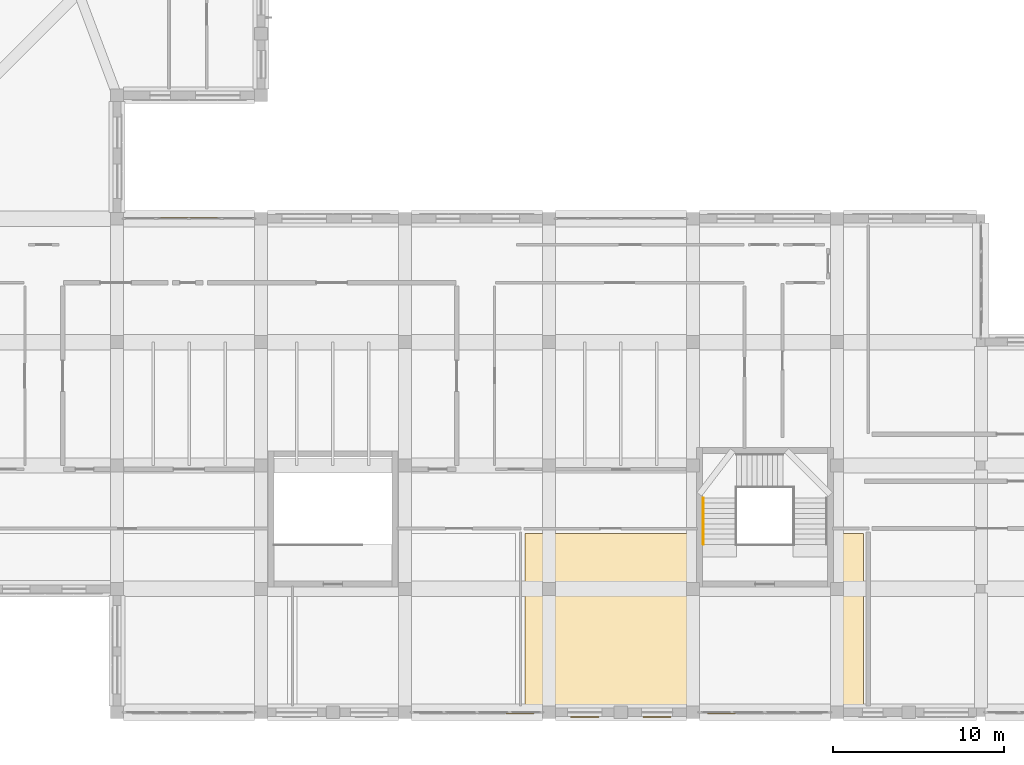
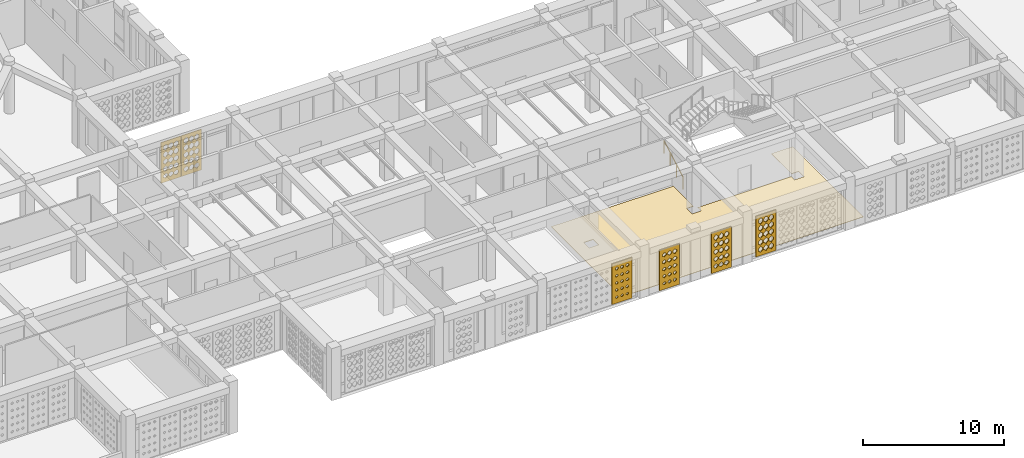
# One storey, part 88 of 111: 7 coverings, 1 railing.
"""IFC4 building model written with IfcOpenShell, lengths in metres."""

from ifc_helpers import new_model, si_unit, derived_unit, direction, frame, origin, origin_2d, place, context, subcontext, project, spatial, polyline, circle, outline, extrude, material, layer, layer_set, type_object, element, save


model = new_model("IFC4")

# Units and contexts
model_context = context("Model", 3, precision=1e-05, world=origin(), true_north=direction((0.0, 1.0)))
body_context = subcontext(model_context, "Body", "Model", "MODEL_VIEW")
ifc_project = project(units=[si_unit("LENGTHUNIT", "METRE"), si_unit("AREAUNIT", "SQUARE_METRE"), si_unit("VOLUMEUNIT", "CUBIC_METRE"), si_unit("PLANEANGLEUNIT", "RADIAN"), si_unit("MASSUNIT", "GRAM", prefix="KILO"), derived_unit("THERMALTRANSMITTANCEUNIT", [(si_unit("POWERUNIT", "WATT"), 1), (si_unit("LENGTHUNIT", "METRE"), -2), (si_unit("THERMODYNAMICTEMPERATUREUNIT", "KELVIN"), -1)])], contexts=[model_context])

# Site, building, storey
site_placement = place(None, origin())
site = spatial("IfcSite", under=ifc_project, at=site_placement, CompositionType="ELEMENT")
building_placement = place(site_placement, origin())
building = spatial("IfcBuilding", under=site, at=building_placement, Name="Veybourne Emporium", CompositionType="ELEMENT")
storey_placement = place(building_placement, frame((0.0, 0.0, 9.89990234375)))
storey = spatial("IfcBuildingStorey", under=building, at=storey_placement, Name="L02", CompositionType="ELEMENT", Elevation=9.89990234375)

# Covering
ifc_material_1 = material(Name="European Oak Parquet", Category="wood")
ifc_layer_1 = layer(ifc_material_1, 0.034912109375)
ifc_layer_set_1 = layer_set([ifc_layer_1], Name="European Oak Parquet")
covering_type_1 = type_object("IfcCoveringType", Name="Flooring_FLR-02", PredefinedType="FLOORING", material=ifc_layer_set_1)
covering_1_placement = place(storey_placement, origin())
element("IfcCovering", 1, at=covering_1_placement, inside=storey, type_object=covering_type_1, Name="L02 floor finish 06", PredefinedType="FLOORING", context=body_context, shape_type="SweptSolid", body=[
    extrude(outline(polyline([(126.18994140625, 10.43994140625), (126.18994140625, 7.64990234375), (126.190185546875, 7.64013671875), (126.19091796875, 7.62451171875), (126.19287109375, 7.60498046875), (126.1953125, 7.589599609375), (126.197021484375, 7.580078125), (125.6201171875, 7.580078125), (125.6201171875, 6.820068359375), (126.3798828125, 6.820068359375), (126.3798828125, 7.3330078125), (126.38916015625, 7.328125), (126.4033203125, 7.3212890625), (126.42138671875, 7.31396484375), (126.43603515625, 7.30859375), (126.454833984375, 7.302978515625), (126.47021484375, 7.299072265625), (126.489501953125, 7.295166015625), (126.505126953125, 7.29296875), (126.5244140625, 7.291015625), (126.540283203125, 7.290283203125), (126.550048828125, 7.2900390625), (133.85009765625, 7.2900390625), (133.85986328125, 7.290283203125), (133.87548828125, 7.291015625), (133.89501953125, 7.29296875), (133.910400390625, 7.295166015625), (133.929931640625, 7.299072265625), (133.945068359375, 7.302978515625), (133.9638671875, 7.30859375), (133.978515625, 7.31396484375), (133.996826171875, 7.3212890625), (134.010986328125, 7.328125), (134.02001953125, 7.3330078125), (134.02001953125, 6.820068359375), (134.780029296875, 6.820068359375), (134.780029296875, 7.580078125), (134.202880859375, 7.580078125), (134.204833984375, 7.589599609375), (134.20703125, 7.60498046875), (134.208984375, 7.62451171875), (134.209716796875, 7.64013671875), (134.2099609375, 7.64990234375), (134.2099609375, 10.43994140625), (135.949951171875, 10.43994140625), (135.949951171875, 0.43994140625), (116.2099609375, 0.43994140625), (116.2099609375, 10.43994140625), (126.18994140625, 10.43994140625)]), holes=[polyline([(117.97998046875, 7.580078125), (117.219970703125, 7.580078125), (117.219970703125, 6.820068359375), (117.97998046875, 6.820068359375), (117.97998046875, 7.580078125)])]), origin(), (0.0, 0.0, 1.0), 0.03515625),
])

# Railing
ifc_material_2 = material(Name="Brushed Stainless Steel", Category="steel")
railing_type = type_object("IfcRailingType", Name="Handrail_HR-01", PredefinedType="HANDRAIL", material=ifc_material_2)
railing_placement = place(storey_placement, frame((126.610107421875, 9.800048828125, 0.150146484375)))
element("IfcRailing", 2, at=railing_placement, inside=storey, type_object=railing_type, Name="L02 ST-06 pitch handrail 1", PredefinedType="HANDRAIL", context=body_context, shape_type="SweptSolid", body=[
    extrude(circle(Radius=0.02392578125, at=origin_2d()), frame((0.0, 0.0, 0.92578125), z_axis=(0.0, 0.87415354758, 0.485649642493), x_axis=(-1.0, 0.0, 0.0)), (0.0, 0.0, 1.0), 3.088623046875),
    extrude(circle(Radius=0.02099609375, at=origin_2d()), frame((0.0, 0.0, -0.14990234375)), (0.0, 0.0, 1.0), 1.0517578125),
    extrude(circle(Radius=0.02099609375, at=origin_2d()), frame((0.0, 0.89990234375, 0.35009765625)), (0.0, 0.0, 1.0), 1.0517578125),
    extrude(circle(Radius=0.02099609375, at=origin_2d()), frame((0.0, 1.800048828125, 0.85009765625)), (0.0, 0.0, 1.0), 1.0517578125),
    extrude(circle(Radius=0.02099609375, at=origin_2d()), frame((0.0, 2.699951171875, 1.35009765625)), (0.0, 0.0, 1.0), 1.0517578125),
])

# Coverings
ifc_material_3 = material(Name="Warm-White Perforated Aluminium Screen Alloy", Category="aluminium")
ifc_layer_2 = layer(ifc_material_3, 0.06005859375)
ifc_layer_set_2 = layer_set([ifc_layer_2], Name="Warm-White Perforated Aluminium Screen Alloy")
covering_type_2 = type_object("IfcCoveringType", Name="WaveScreen_SCR-01", PredefinedType="CLADDING", material=ifc_layer_set_2)
covering_2_placement = place(storey_placement, frame((95.760009765625, 28.89306640625, 1.815185546875), z_axis=(0.0, -1.0, 0.0), x_axis=(1.0, 0.0, 0.0)))
element("IfcCovering", 3, at=covering_2_placement, inside=storey, type_object=covering_type_2, Name="L02 wave-perforated aluminium screen SCR-01 (48C.2)", PredefinedType="CLADDING", context=body_context, shape_type="SweptSolid", body=[
    extrude(outline(polyline([(-0.81982421875, -1.7548828125), (0.81982421875, -1.7548828125), (0.81982421875, 1.7548828125), (-0.81982421875, 1.7548828125), (-0.81982421875, -1.7548828125)]), holes=[polyline([(-0.433349609375, -1.0224609375), (-0.255126953125, -1.154052734375), (-0.255126953125, -1.302001953125), (-0.433349609375, -1.43359375), (-0.611328125, -1.302001953125), (-0.611328125, -1.154052734375), (-0.433349609375, -1.0224609375)]), polyline([(-0.433349609375, -0.394775390625), (-0.2470703125, -0.53515625), (-0.2470703125, -0.69287109375), (-0.433349609375, -0.833251953125), (-0.61962890625, -0.69287109375), (-0.61962890625, -0.53515625), (-0.433349609375, -0.394775390625)]), polyline([(-0.433349609375, 0.232177734375), (-0.2470703125, 0.08349609375), (-0.2470703125, -0.08349609375), (-0.433349609375, -0.232177734375), (-0.61962890625, -0.08349609375), (-0.61962890625, 0.08349609375), (-0.433349609375, 0.232177734375)]), polyline([(-0.433349609375, 0.85791015625), (-0.2470703125, 0.701904296875), (-0.2470703125, 0.526123046875), (-0.433349609375, 0.3701171875), (-0.61962890625, 0.526123046875), (-0.61962890625, 0.701904296875), (-0.433349609375, 0.85791015625)]), polyline([(-0.433349609375, 1.482177734375), (-0.2470703125, 1.319580078125), (-0.2470703125, 1.136474609375), (-0.433349609375, 0.973876953125), (-0.61962890625, 1.136474609375), (-0.61962890625, 1.319580078125), (-0.433349609375, 1.482177734375)]), polyline([(0.0, -1.01611328125), (0.183349609375, -1.15185546875), (0.183349609375, -1.30419921875), (0.0, -1.439697265625), (-0.183349609375, -1.30419921875), (-0.183349609375, -1.15185546875), (0.0, -1.01611328125)]), polyline([(0.0, -0.388916015625), (0.186279296875, -0.532958984375), (0.186279296875, -0.695068359375), (0.0, -0.839111328125), (-0.186279296875, -0.695068359375), (-0.186279296875, -0.532958984375), (0.0, -0.388916015625)]), polyline([(0.0, 0.23779296875), (0.186279296875, 0.085693359375), (0.186279296875, -0.085693359375), (0.0, -0.23779296875), (-0.186279296875, -0.085693359375), (-0.186279296875, 0.085693359375), (0.0, 0.23779296875)]), polyline([(0.0, 0.86279296875), (0.186279296875, 0.70361328125), (0.186279296875, 0.5244140625), (0.0, 0.365234375), (-0.186279296875, 0.5244140625), (-0.186279296875, 0.70361328125), (0.0, 0.86279296875)]), polyline([(0.0, 1.486328125), (0.186279296875, 1.321044921875), (0.186279296875, 1.135009765625), (0.0, 0.9697265625), (-0.186279296875, 1.135009765625), (-0.186279296875, 1.321044921875), (0.0, 1.486328125)]), polyline([(0.433349609375, -1.010009765625), (0.61962890625, -1.1494140625), (0.61962890625, -1.306396484375), (0.433349609375, -1.446044921875), (0.2470703125, -1.306396484375), (0.2470703125, -1.1494140625), (0.433349609375, -1.010009765625)]), polyline([(0.433349609375, -0.383056640625), (0.61962890625, -0.53076171875), (0.61962890625, -0.697265625), (0.433349609375, -0.844970703125), (0.2470703125, -0.697265625), (0.2470703125, -0.53076171875), (0.433349609375, -0.383056640625)]), polyline([(0.433349609375, 0.242919921875), (0.61962890625, 0.08740234375), (0.61962890625, -0.08740234375), (0.433349609375, -0.242919921875), (0.2470703125, -0.08740234375), (0.2470703125, 0.08740234375), (0.433349609375, 0.242919921875)]), polyline([(0.433349609375, 0.867431640625), (0.61962890625, 0.705078125), (0.61962890625, 0.522705078125), (0.433349609375, 0.360595703125), (0.2470703125, 0.522705078125), (0.2470703125, 0.705078125), (0.433349609375, 0.867431640625)]), polyline([(0.433349609375, 1.489990234375), (0.61962890625, 1.322265625), (0.61962890625, 1.1337890625), (0.433349609375, 0.966064453125), (0.2470703125, 1.1337890625), (0.2470703125, 1.322265625), (0.433349609375, 1.489990234375)])]), origin(), (0.0, 0.0, 1.0), 0.06005859375),
])
covering_3_placement = place(storey_placement, frame((123.91259765625, -0.298095703125, 1.815185546875), z_axis=(0.0, 1.0, 0.0), x_axis=(-1.0, 0.0, 0.0)))
element("IfcCovering", 4, at=covering_3_placement, inside=storey, type_object=covering_type_2, Name="L02 wave-perforated aluminium screen SCR-01 (65A.1)", PredefinedType="CLADDING", context=body_context, shape_type="SweptSolid", body=[
    extrude(outline(polyline([(-0.81982421875, -1.7548828125), (0.81982421875, -1.7548828125), (0.81982421875, 1.7548828125), (-0.81982421875, 1.7548828125), (-0.81982421875, -1.7548828125)]), holes=[polyline([(-0.433349609375, -1.024169921875), (-0.256591796875, -1.154541015625), (-0.256591796875, -1.301513671875), (-0.433349609375, -1.431884765625), (-0.610107421875, -1.301513671875), (-0.610107421875, -1.154541015625), (-0.433349609375, -1.024169921875)]), polyline([(-0.433349609375, -0.396484375), (-0.2470703125, -0.53564453125), (-0.2470703125, -0.6923828125), (-0.433349609375, -0.83154296875), (-0.61962890625, -0.6923828125), (-0.61962890625, -0.53564453125), (-0.433349609375, -0.396484375)]), polyline([(-0.433349609375, 0.230712890625), (-0.2470703125, 0.0830078125), (-0.2470703125, -0.0830078125), (-0.433349609375, -0.230712890625), (-0.61962890625, -0.0830078125), (-0.61962890625, 0.0830078125), (-0.433349609375, 0.230712890625)]), polyline([(-0.433349609375, 0.856689453125), (-0.2470703125, 0.701416015625), (-0.2470703125, 0.526611328125), (-0.433349609375, 0.371337890625), (-0.61962890625, 0.526611328125), (-0.61962890625, 0.701416015625), (-0.433349609375, 0.856689453125)]), polyline([(-0.433349609375, 1.481201171875), (-0.2470703125, 1.319091796875), (-0.2470703125, 1.136962890625), (-0.433349609375, 0.974853515625), (-0.61962890625, 1.136962890625), (-0.61962890625, 1.319091796875), (-0.433349609375, 1.481201171875)]), polyline([(0.0, -1.030517578125), (0.17138671875, -1.156982421875), (0.17138671875, -1.299072265625), (0.0, -1.42529296875), (-0.17138671875, -1.299072265625), (-0.17138671875, -1.156982421875), (0.0, -1.030517578125)]), polyline([(0.0, -0.402587890625), (0.18310546875, -0.537841796875), (0.18310546875, -0.690185546875), (0.0, -0.825439453125), (-0.18310546875, -0.690185546875), (-0.18310546875, -0.537841796875), (0.0, -0.402587890625)]), polyline([(0.0, 0.224853515625), (0.186279296875, 0.0810546875), (0.186279296875, -0.0810546875), (0.0, -0.224853515625), (-0.186279296875, -0.0810546875), (-0.186279296875, 0.0810546875), (0.0, 0.224853515625)]), polyline([(0.0, 0.851318359375), (0.186279296875, 0.699462890625), (0.186279296875, 0.528564453125), (0.0, 0.376708984375), (-0.186279296875, 0.528564453125), (-0.186279296875, 0.699462890625), (0.0, 0.851318359375)]), polyline([(0.0, 1.4765625), (0.186279296875, 1.3173828125), (0.186279296875, 1.138427734375), (0.0, 0.9794921875), (-0.186279296875, 1.138427734375), (-0.186279296875, 1.3173828125), (0.0, 1.4765625)]), polyline([(0.433349609375, -1.037109375), (0.599609375, -1.1591796875), (0.599609375, -1.296875), (0.433349609375, -1.4189453125), (0.26708984375, -1.296875), (0.26708984375, -1.1591796875), (0.433349609375, -1.037109375)]), polyline([(0.433349609375, -0.408935546875), (0.611083984375, -0.540283203125), (0.611083984375, -0.687744140625), (0.433349609375, -0.819091796875), (0.255615234375, -0.687744140625), (0.255615234375, -0.540283203125), (0.433349609375, -0.408935546875)]), polyline([(0.433349609375, 0.218994140625), (0.61962890625, 0.078857421875), (0.61962890625, -0.078857421875), (0.433349609375, -0.218994140625), (0.2470703125, -0.078857421875), (0.2470703125, 0.078857421875), (0.433349609375, 0.218994140625)]), polyline([(0.433349609375, 0.845947265625), (0.61962890625, 0.697509765625), (0.61962890625, 0.530517578125), (0.433349609375, 0.382080078125), (0.2470703125, 0.530517578125), (0.2470703125, 0.697509765625), (0.433349609375, 0.845947265625)]), polyline([(0.433349609375, 1.4716796875), (0.61962890625, 1.315673828125), (0.61962890625, 1.140380859375), (0.433349609375, 0.984375), (0.2470703125, 1.140380859375), (0.2470703125, 1.315673828125), (0.433349609375, 1.4716796875)])]), origin(), (0.0, 0.0, 1.0), 0.06005859375),
])
covering_4_placement = place(storey_placement, frame((119.6875, -0.298095703125, 1.815185546875), z_axis=(0.0, 1.0, 0.0), x_axis=(-1.0, 0.0, 0.0)))
element("IfcCovering", 5, at=covering_4_placement, inside=storey, type_object=covering_type_2, Name="L02 wave-perforated aluminium screen SCR-01 (65B.1)", PredefinedType="CLADDING", context=body_context, shape_type="SweptSolid", body=[
    extrude(outline(polyline([(-0.81982421875, -1.7548828125), (0.81982421875, -1.7548828125), (0.81982421875, 1.7548828125), (-0.81982421875, 1.7548828125), (-0.81982421875, -1.7548828125)]), holes=[polyline([(-0.433349609375, -1.08349609375), (-0.30517578125, -1.176025390625), (-0.30517578125, -1.280029296875), (-0.433349609375, -1.372314453125), (-0.5615234375, -1.280029296875), (-0.5615234375, -1.176025390625), (-0.433349609375, -1.08349609375)]), polyline([(-0.433349609375, -0.45751953125), (-0.29541015625, -0.5576171875), (-0.29541015625, -0.67041015625), (-0.433349609375, -0.7705078125), (-0.5712890625, -0.67041015625), (-0.5712890625, -0.5576171875), (-0.433349609375, -0.45751953125)]), polyline([(-0.433349609375, 0.169921875), (-0.284423828125, 0.06103515625), (-0.284423828125, -0.06103515625), (-0.433349609375, -0.169921875), (-0.582275390625, -0.06103515625), (-0.582275390625, 0.06103515625), (-0.433349609375, 0.169921875)]), polyline([(-0.433349609375, 0.797607421875), (-0.27294921875, 0.68017578125), (-0.27294921875, 0.5478515625), (-0.433349609375, 0.430419921875), (-0.593505859375, 0.5478515625), (-0.593505859375, 0.68017578125), (-0.433349609375, 0.797607421875)]), polyline([(-0.433349609375, 1.42578125), (-0.261474609375, 1.29931640625), (-0.261474609375, 1.15673828125), (-0.433349609375, 1.0302734375), (-0.605224609375, 1.15673828125), (-0.605224609375, 1.29931640625), (-0.433349609375, 1.42578125)]), polyline([(0.0, -1.088623046875), (0.1240234375, -1.177978515625), (0.1240234375, -1.278076171875), (0.0, -1.3671875), (-0.1240234375, -1.278076171875), (-0.1240234375, -1.177978515625), (0.0, -1.088623046875)]), polyline([(0.0, -0.463134765625), (0.13330078125, -0.559814453125), (0.13330078125, -0.668212890625), (0.0, -0.764892578125), (-0.13330078125, -0.668212890625), (-0.13330078125, -0.559814453125), (0.0, -0.463134765625)]), polyline([(0.0, 0.163818359375), (0.143798828125, 0.058837890625), (0.143798828125, -0.058837890625), (0.0, -0.163818359375), (-0.143798828125, -0.058837890625), (-0.143798828125, 0.058837890625), (0.0, 0.163818359375)]), polyline([(0.0, 0.791259765625), (0.155029296875, 0.677734375), (0.155029296875, 0.55029296875), (0.0, 0.436767578125), (-0.155029296875, 0.55029296875), (-0.155029296875, 0.677734375), (0.0, 0.791259765625)]), polyline([(0.0, 1.41943359375), (0.16650390625, 1.296875), (0.16650390625, 1.1591796875), (0.0, 1.03662109375), (-0.16650390625, 1.1591796875), (-0.16650390625, 1.296875), (0.0, 1.41943359375)]), polyline([(0.433349609375, -1.093505859375), (0.553466796875, -1.1796875), (0.553466796875, -1.2763671875), (0.433349609375, -1.362548828125), (0.313232421875, -1.2763671875), (0.313232421875, -1.1796875), (0.433349609375, -1.093505859375)]), polyline([(0.433349609375, -0.468505859375), (0.562255859375, -0.5615234375), (0.562255859375, -0.66650390625), (0.433349609375, -0.759521484375), (0.30419921875, -0.66650390625), (0.30419921875, -0.5615234375), (0.433349609375, -0.468505859375)]), polyline([(0.433349609375, 0.15771484375), (0.572509765625, 0.056884765625), (0.572509765625, -0.056884765625), (0.433349609375, -0.15771484375), (0.294189453125, -0.056884765625), (0.294189453125, 0.056884765625), (0.433349609375, 0.15771484375)]), polyline([(0.433349609375, 0.784912109375), (0.583251953125, 0.675537109375), (0.583251953125, 0.552490234375), (0.433349609375, 0.443115234375), (0.283447265625, 0.552490234375), (0.283447265625, 0.675537109375), (0.433349609375, 0.784912109375)]), polyline([(0.433349609375, 1.4130859375), (0.5947265625, 1.294677734375), (0.5947265625, 1.161376953125), (0.433349609375, 1.04296875), (0.27197265625, 1.161376953125), (0.27197265625, 1.294677734375), (0.433349609375, 1.4130859375)])]), origin(), (0.0, 0.0, 1.0), 0.06005859375),
])
ifc_layer_3 = layer(ifc_material_3, 0.06005859375)
ifc_layer_set_3 = layer_set([ifc_layer_3], Name="Warm-White Perforated Aluminium Screen Alloy")
covering_type_3 = type_object("IfcCoveringType", Name="WaveScreen_SCR-02", PredefinedType="CLADDING", material=ifc_layer_set_3)
covering_5_placement = place(storey_placement, frame((97.43994140625, 28.89306640625, 1.815185546875), z_axis=(0.0, -1.0, 0.0), x_axis=(1.0, 0.0, 0.0)))
element("IfcCovering", 6, at=covering_5_placement, inside=storey, type_object=covering_type_3, Name="L02 wave-perforated aluminium screen SCR-02 (48C.3)", PredefinedType="CLADDING", context=body_context, shape_type="SweptSolid", body=[
    extrude(outline(polyline([(-0.81982421875, -1.7548828125), (0.81982421875, -1.7548828125), (0.81982421875, 1.7548828125), (-0.81982421875, 1.7548828125), (-0.81982421875, -1.7548828125)]), holes=[polyline([(-0.433349609375, -0.998779296875), (-0.2470703125, -1.1455078125), (-0.2470703125, -1.310546875), (-0.433349609375, -1.45703125), (-0.61962890625, -1.310546875), (-0.61962890625, -1.1455078125), (-0.433349609375, -0.998779296875)]), polyline([(-0.433349609375, -0.372802734375), (-0.2470703125, -0.527099609375), (-0.2470703125, -0.70068359375), (-0.433349609375, -0.855224609375), (-0.61962890625, -0.70068359375), (-0.61962890625, -0.527099609375), (-0.433349609375, -0.372802734375)]), polyline([(-0.433349609375, 0.251953125), (-0.2470703125, 0.0908203125), (-0.2470703125, -0.0908203125), (-0.433349609375, -0.251953125), (-0.61962890625, -0.0908203125), (-0.61962890625, 0.0908203125), (-0.433349609375, 0.251953125)]), polyline([(-0.433349609375, 0.874755859375), (-0.2470703125, 0.7080078125), (-0.2470703125, 0.52001953125), (-0.433349609375, 0.353271484375), (-0.61962890625, 0.52001953125), (-0.61962890625, 0.7080078125), (-0.433349609375, 0.874755859375)]), polyline([(-0.433349609375, 1.491943359375), (-0.2470703125, 1.322998046875), (-0.2470703125, 1.133056640625), (-0.433349609375, 0.964111328125), (-0.61962890625, 1.133056640625), (-0.61962890625, 1.322998046875), (-0.433349609375, 1.491943359375)]), polyline([(0.0, -0.9931640625), (0.186279296875, -1.1435546875), (0.186279296875, -1.3125), (0.0, -1.462890625), (-0.186279296875, -1.3125), (-0.186279296875, -1.1435546875), (0.0, -0.9931640625)]), polyline([(0.0, -0.36767578125), (0.186279296875, -0.525390625), (0.186279296875, -0.70263671875), (0.0, -0.8603515625), (-0.186279296875, -0.70263671875), (-0.186279296875, -0.525390625), (0.0, -0.36767578125)]), polyline([(0.0, 0.256103515625), (0.186279296875, 0.09228515625), (0.186279296875, -0.09228515625), (0.0, -0.256103515625), (-0.186279296875, -0.09228515625), (-0.186279296875, 0.09228515625), (0.0, 0.256103515625)]), polyline([(0.0, 0.8779296875), (0.186279296875, 0.708984375), (0.186279296875, 0.51904296875), (0.0, 0.35009765625), (-0.186279296875, 0.51904296875), (-0.186279296875, 0.708984375), (0.0, 0.8779296875)]), polyline([(0.0, 1.491943359375), (0.186279296875, 1.322998046875), (0.186279296875, 1.133056640625), (0.0, 0.964111328125), (-0.186279296875, 1.133056640625), (-0.186279296875, 1.322998046875), (0.0, 1.491943359375)]), polyline([(0.433349609375, -0.98779296875), (0.61962890625, -1.1416015625), (0.61962890625, -1.314453125), (0.433349609375, -1.46826171875), (0.2470703125, -1.314453125), (0.2470703125, -1.1416015625), (0.433349609375, -0.98779296875)]), polyline([(0.433349609375, -0.363037109375), (0.61962890625, -0.523681640625), (0.61962890625, -0.704345703125), (0.433349609375, -0.864990234375), (0.2470703125, -0.704345703125), (0.2470703125, -0.523681640625), (0.433349609375, -0.363037109375)]), polyline([(0.433349609375, 0.260009765625), (0.61962890625, 0.093505859375), (0.61962890625, -0.093505859375), (0.433349609375, -0.260009765625), (0.2470703125, -0.093505859375), (0.2470703125, 0.093505859375), (0.433349609375, 0.260009765625)]), polyline([(0.433349609375, 0.8779296875), (0.61962890625, 0.708984375), (0.61962890625, 0.51904296875), (0.433349609375, 0.35009765625), (0.2470703125, 0.51904296875), (0.2470703125, 0.708984375), (0.433349609375, 0.8779296875)]), polyline([(0.433349609375, 1.491943359375), (0.61962890625, 1.322998046875), (0.61962890625, 1.133056640625), (0.433349609375, 0.964111328125), (0.2470703125, 1.133056640625), (0.2470703125, 1.322998046875), (0.433349609375, 1.491943359375)])]), origin(), (0.0, 0.0, 1.0), 0.06005859375),
])
covering_6_placement = place(storey_placement, frame((127.679931640625, -0.096923828125, 1.815185546875), z_axis=(0.0, 1.0, 0.0), x_axis=(-1.0, 0.0, 0.0)))
element("IfcCovering", 7, at=covering_6_placement, inside=storey, type_object=covering_type_3, Name="L02 wave-perforated aluminium screen SCR-02 (67C.4)", PredefinedType="CLADDING", context=body_context, shape_type="SweptSolid", body=[
    extrude(outline(polyline([(-0.81982421875, -1.7548828125), (0.81982421875, -1.7548828125), (0.81982421875, 1.7548828125), (-0.81982421875, 1.7548828125), (-0.81982421875, -1.7548828125)]), holes=[polyline([(-0.433349609375, -0.973388671875), (-0.2470703125, -1.13623046875), (-0.2470703125, -1.319580078125), (-0.433349609375, -1.482666015625), (-0.61962890625, -1.319580078125), (-0.61962890625, -1.13623046875), (-0.433349609375, -0.973388671875)]), polyline([(-0.433349609375, -0.35107421875), (-0.2470703125, -0.519287109375), (-0.2470703125, -0.708740234375), (-0.433349609375, -0.876953125), (-0.61962890625, -0.708740234375), (-0.61962890625, -0.519287109375), (-0.433349609375, -0.35107421875)]), polyline([(-0.433349609375, 0.263916015625), (-0.2470703125, 0.094970703125), (-0.2470703125, -0.094970703125), (-0.433349609375, -0.263916015625), (-0.61962890625, -0.094970703125), (-0.61962890625, 0.094970703125), (-0.433349609375, 0.263916015625)]), polyline([(-0.433349609375, 0.8779296875), (-0.2470703125, 0.708984375), (-0.2470703125, 0.51904296875), (-0.433349609375, 0.35009765625), (-0.61962890625, 0.51904296875), (-0.61962890625, 0.708984375), (-0.433349609375, 0.8779296875)]), polyline([(-0.433349609375, 1.491943359375), (-0.2470703125, 1.322998046875), (-0.2470703125, 1.133056640625), (-0.433349609375, 0.964111328125), (-0.61962890625, 1.133056640625), (-0.61962890625, 1.322998046875), (-0.433349609375, 1.491943359375)]), polyline([(0.0, -0.977783203125), (0.186279296875, -1.137939453125), (0.186279296875, -1.318115234375), (0.0, -1.478271484375), (-0.186279296875, -1.318115234375), (-0.186279296875, -1.137939453125), (0.0, -0.977783203125)]), polyline([(0.0, -0.3544921875), (0.186279296875, -0.5205078125), (0.186279296875, -0.70751953125), (0.0, -0.873291015625), (-0.186279296875, -0.70751953125), (-0.186279296875, -0.5205078125), (0.0, -0.3544921875)]), polyline([(0.0, 0.263916015625), (0.186279296875, 0.094970703125), (0.186279296875, -0.094970703125), (0.0, -0.263916015625), (-0.186279296875, -0.094970703125), (-0.186279296875, 0.094970703125), (0.0, 0.263916015625)]), polyline([(0.0, 0.8779296875), (0.186279296875, 0.708984375), (0.186279296875, 0.51904296875), (0.0, 0.35009765625), (-0.186279296875, 0.51904296875), (-0.186279296875, 0.708984375), (0.0, 0.8779296875)]), polyline([(0.0, 1.491943359375), (0.186279296875, 1.322998046875), (0.186279296875, 1.133056640625), (0.0, 0.964111328125), (-0.186279296875, 1.133056640625), (-0.186279296875, 1.322998046875), (0.0, 1.491943359375)]), polyline([(0.433349609375, -0.982666015625), (0.61962890625, -1.1396484375), (0.61962890625, -1.31640625), (0.433349609375, -1.473388671875), (0.2470703125, -1.31640625), (0.2470703125, -1.1396484375), (0.433349609375, -0.982666015625)]), polyline([(0.433349609375, -0.358642578125), (0.61962890625, -0.52197265625), (0.61962890625, -0.7060546875), (0.433349609375, -0.869384765625), (0.2470703125, -0.7060546875), (0.2470703125, -0.52197265625), (0.433349609375, -0.358642578125)]), polyline([(0.433349609375, 0.263671875), (0.61962890625, 0.094970703125), (0.61962890625, -0.094970703125), (0.433349609375, -0.263671875), (0.2470703125, -0.094970703125), (0.2470703125, 0.094970703125), (0.433349609375, 0.263671875)]), polyline([(0.433349609375, 0.8779296875), (0.61962890625, 0.708984375), (0.61962890625, 0.51904296875), (0.433349609375, 0.35009765625), (0.2470703125, 0.51904296875), (0.2470703125, 0.708984375), (0.433349609375, 0.8779296875)]), polyline([(0.433349609375, 1.491943359375), (0.61962890625, 1.322998046875), (0.61962890625, 1.133056640625), (0.433349609375, 0.964111328125), (0.2470703125, 1.133056640625), (0.2470703125, 1.322998046875), (0.433349609375, 1.491943359375)])]), origin(), (0.0, 0.0, 1.0), 0.06005859375),
])
ifc_layer_4 = layer(ifc_material_3, 0.06005859375)
ifc_layer_set_4 = layer_set([ifc_layer_4], Name="Warm-White Perforated Aluminium Screen Alloy")
covering_type_4 = type_object("IfcCoveringType", Name="WaveScreen_SCR-03", PredefinedType="CLADDING", material=ifc_layer_set_4)
covering_7_placement = place(storey_placement, frame((115.919921875, -0.093994140625, 1.815185546875), z_axis=(0.0, 1.0, 0.0), x_axis=(-1.0, 0.0, 0.0)))
element("IfcCovering", 8, at=covering_7_placement, inside=storey, type_object=covering_type_4, Name="L02 wave-perforated aluminium screen SCR-03 (63C.1)", PredefinedType="CLADDING", context=body_context, shape_type="SweptSolid", body=[
    extrude(outline(polyline([(-0.81982421875, -1.7548828125), (0.81982421875, -1.7548828125), (0.81982421875, 1.7548828125), (-0.81982421875, 1.7548828125), (-0.81982421875, -1.7548828125)]), holes=[polyline([(-0.433349609375, -1.1142578125), (-0.330078125, -1.18701171875), (-0.330078125, -1.26904296875), (-0.433349609375, -1.341796875), (-0.53662109375, -1.26904296875), (-0.53662109375, -1.18701171875), (-0.433349609375, -1.1142578125)]), polyline([(-0.433349609375, -0.49462890625), (-0.32568359375, -0.571044921875), (-0.32568359375, -0.656982421875), (-0.433349609375, -0.7333984375), (-0.541015625, -0.656982421875), (-0.541015625, -0.571044921875), (-0.433349609375, -0.49462890625)]), polyline([(-0.433349609375, 0.126708984375), (-0.319580078125, 0.045654296875), (-0.319580078125, -0.045654296875), (-0.433349609375, -0.126708984375), (-0.547119140625, -0.045654296875), (-0.547119140625, 0.045654296875), (-0.433349609375, 0.126708984375)]), polyline([(-0.433349609375, 0.75048828125), (-0.311767578125, 0.6630859375), (-0.311767578125, 0.56494140625), (-0.433349609375, 0.4775390625), (-0.554931640625, 0.56494140625), (-0.554931640625, 0.6630859375), (-0.433349609375, 0.75048828125)]), polyline([(-0.433349609375, 1.37548828125), (-0.302490234375, 1.281005859375), (-0.302490234375, 1.1748046875), (-0.433349609375, 1.08056640625), (-0.56396484375, 1.1748046875), (-0.56396484375, 1.281005859375), (-0.433349609375, 1.37548828125)]), polyline([(0.0, -1.115966796875), (0.101806640625, -1.1875), (0.101806640625, -1.268310546875), (0.0, -1.340087890625), (-0.101806640625, -1.268310546875), (-0.101806640625, -1.1875), (0.0, -1.115966796875)]), polyline([(0.0, -0.49755859375), (0.105224609375, -0.572021484375), (0.105224609375, -0.656005859375), (0.0, -0.73046875), (-0.105224609375, -0.656005859375), (-0.105224609375, -0.572021484375), (0.0, -0.49755859375)]), polyline([(0.0, 0.123046875), (0.11083984375, 0.044189453125), (0.11083984375, -0.044189453125), (0.0, -0.123046875), (-0.11083984375, -0.044189453125), (-0.11083984375, 0.044189453125), (0.0, 0.123046875)]), polyline([(0.0, 0.745849609375), (0.117919921875, 0.66162109375), (0.117919921875, 0.56640625), (0.0, 0.482177734375), (-0.117919921875, 0.56640625), (-0.117919921875, 0.66162109375), (0.0, 0.745849609375)]), polyline([(0.0, 1.370361328125), (0.12646484375, 1.279296875), (0.12646484375, 1.1767578125), (0.0, 1.085693359375), (-0.12646484375, 1.1767578125), (-0.12646484375, 1.279296875), (0.0, 1.370361328125)]), polyline([(0.433349609375, -1.1171875), (0.5341796875, -1.18798828125), (0.5341796875, -1.267822265625), (0.433349609375, -1.3388671875), (0.33251953125, -1.267822265625), (0.33251953125, -1.18798828125), (0.433349609375, -1.1171875)]), polyline([(0.433349609375, -0.499755859375), (0.536865234375, -0.572998046875), (0.536865234375, -0.655029296875), (0.433349609375, -0.728271484375), (0.329833984375, -0.655029296875), (0.329833984375, -0.572998046875), (0.433349609375, -0.499755859375)]), polyline([(0.433349609375, 0.119873046875), (0.54150390625, 0.043212890625), (0.54150390625, -0.043212890625), (0.433349609375, -0.119873046875), (0.3251953125, -0.043212890625), (0.3251953125, 0.043212890625), (0.433349609375, 0.119873046875)]), polyline([(0.433349609375, 0.74169921875), (0.5478515625, 0.659912109375), (0.5478515625, 0.568115234375), (0.433349609375, 0.486328125), (0.31884765625, 0.568115234375), (0.31884765625, 0.659912109375), (0.433349609375, 0.74169921875)]), polyline([(0.433349609375, 1.365234375), (0.5556640625, 1.27734375), (0.5556640625, 1.1787109375), (0.433349609375, 1.0908203125), (0.31103515625, 1.1787109375), (0.31103515625, 1.27734375), (0.433349609375, 1.365234375)])]), origin(), (0.0, 0.0, 1.0), 0.06005859375),
])

save(model, "model.ifc")
